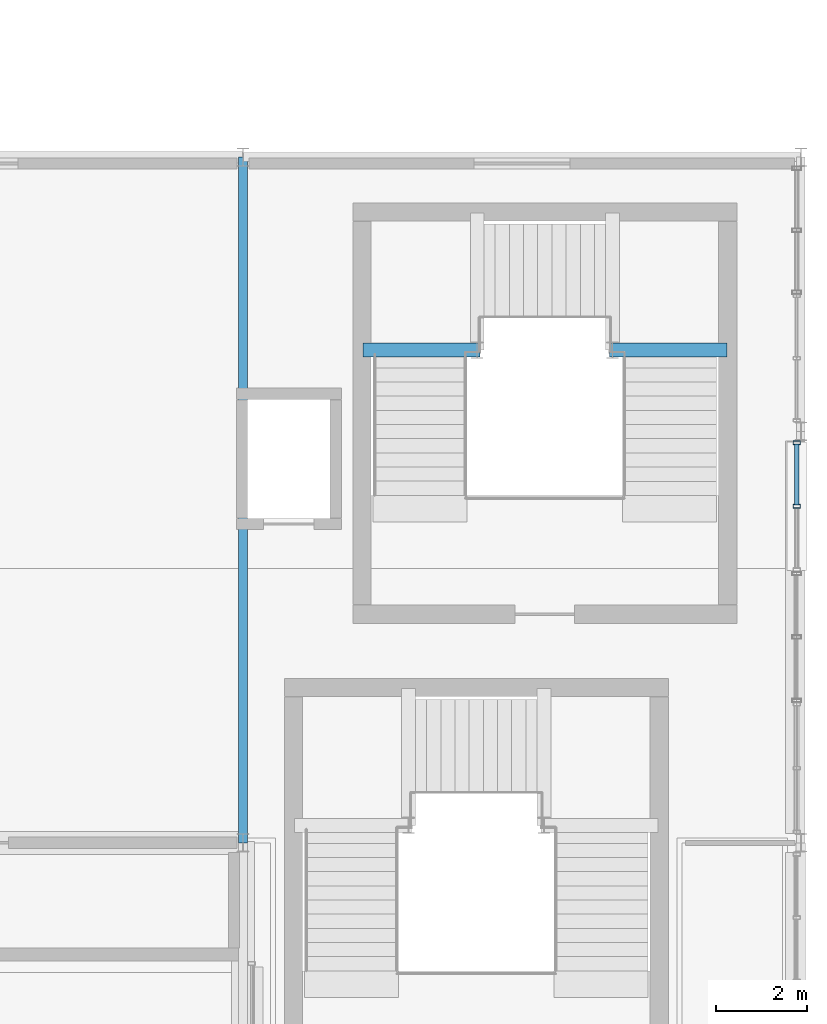
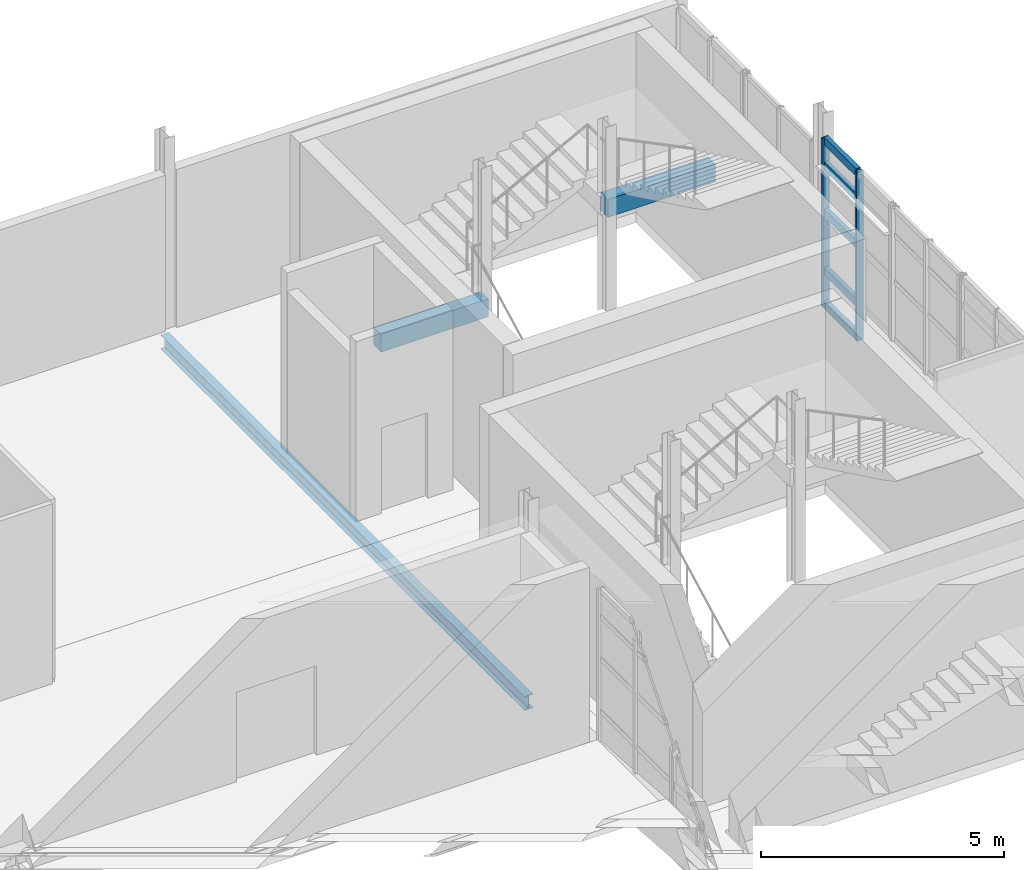
# One storey, part 56 of 100: 7 members, 3 beams, 1 element without a shape of its own.
"""IFC4 building model written with IfcOpenShell, lengths in metres."""

from ifc_helpers import new_model, si_unit, derived_unit, direction, frame, origin, origin_2d, place, context, subcontext, project, spatial, rectangle, hollow_rectangle, i_section, extrude, material, layer, layer_set, material_profile, profile_set, type_object, element, aggregate, save


model = new_model("IFC4")

# Units and contexts
model_context = context("Model", 3, precision=1e-05, world=origin(), true_north=direction((0.0, 1.0)))
body_context = subcontext(model_context, "Body", "Model", "MODEL_VIEW")
ifc_project = project(units=[si_unit("LENGTHUNIT", "METRE"), si_unit("AREAUNIT", "SQUARE_METRE"), si_unit("VOLUMEUNIT", "CUBIC_METRE"), si_unit("PLANEANGLEUNIT", "RADIAN"), si_unit("MASSUNIT", "GRAM", prefix="KILO"), derived_unit("THERMALTRANSMITTANCEUNIT", [(si_unit("POWERUNIT", "WATT"), 1), (si_unit("LENGTHUNIT", "METRE"), -2), (si_unit("THERMODYNAMICTEMPERATUREUNIT", "KELVIN"), -1)])], contexts=[model_context])

# Site, building, storey
site_placement = place(None, origin())
site = spatial("IfcSite", under=ifc_project, at=site_placement, CompositionType="ELEMENT")
building_placement = place(site_placement, origin())
building = spatial("IfcBuilding", under=site, at=building_placement, Name="Nallur Shell Playhouse", CompositionType="ELEMENT")
storey_placement = place(building_placement, frame((0.0, 0.0, 10.199951171875)))
storey = spatial("IfcBuildingStorey", under=building, at=storey_placement, Name="L03", CompositionType="ELEMENT", Elevation=10.199951171875)

# Beams
ifc_material_1 = material(Name="Concrete M35", Category="concrete")
ifc_material_profile_1 = material_profile(ifc_material_1, rectangle(XDim=0.300048828125, YDim=0.449951171875, at=origin_2d()), Name="RC 300x450")
ifc_profile_set_1 = profile_set([ifc_material_profile_1], Name="Concrete M35")
beam_type_1 = type_object("IfcBeamType", Name="BM-SPN-300x450", PredefinedType="SPANDREL", material=ifc_profile_set_1)
beam_1_placement = place(storey_placement, frame((150.219970703125, 51.780029296875, 1.22509765625), z_axis=(1.0, 0.0, 0.0), x_axis=(0.0, 1.0, 0.0)))
element("IfcBeam", 1, at=beam_1_placement, inside=storey, type_object=beam_type_1, Name="Stair ST-05-L03 L1 south bearer beam", PredefinedType="SPANDREL", context=body_context, shape_type="SweptSolid", body=[
    extrude(rectangle(XDim=0.300048828125, YDim=0.449951171875, at=origin_2d()), origin(), (0.0, 0.0, 1.0), 2.56005859375),
])
beam_2_placement = place(storey_placement, frame((155.6201171875, 51.780029296875, 2.72509765625), z_axis=(1.0, 0.0, 0.0), x_axis=(0.0, 1.0, 0.0)))
element("IfcBeam", 2, at=beam_2_placement, inside=storey, type_object=beam_type_1, Name="Stair ST-05-L03 L2 south bearer beam", PredefinedType="SPANDREL", context=body_context, shape_type="SweptSolid", body=[
    extrude(rectangle(XDim=0.300048828125, YDim=0.449951171875, at=origin_2d()), origin(), (0.0, 0.0, 1.0), 2.559814453125),
])
ifc_material_2 = material(Name="Steel E350", Category="steel")
ifc_material_profile_2 = material_profile(ifc_material_2, i_section(OverallWidth=0.199951171875, OverallDepth=0.35009765625, WebThickness=0.008056640625, FlangeThickness=0.011474609375, FilletRadius=0.011962890625, at=origin_2d()), Name="ISWB 350")
ifc_profile_set_2 = profile_set([ifc_material_profile_2], Name="Steel E350")
beam_type_2 = type_object("IfcBeamType", Name="BM-ST-ISWB350", PredefinedType="BEAM", material=ifc_profile_set_2)
beam_3_placement = place(storey_placement, frame((147.60009765625, 41.0, -0.43505859375), z_axis=(0.0, 1.0, 0.0), x_axis=(-1.0, 0.0, 0.0)))
element("IfcBeam", 3, at=beam_3_placement, inside=storey, type_object=beam_type_2, Name="L03 girder Y-18-678", PredefinedType="BEAM", context=body_context, shape_type="SweptSolid", body=[
    extrude(i_section(OverallWidth=0.199951171875, OverallDepth=0.35009765625, WebThickness=0.008056640625, FlangeThickness=0.011474609375, FilletRadius=0.011962890625, at=origin_2d()), origin(), (0.0, 0.0, 1.0), 15.0),
])

# Curtain wall, members
ifc_material_3 = material(Name="Anodised Aluminium Double-Glazed Facade System", Category="aluminium")
ifc_layer = layer(ifc_material_3, 0.176025390625)
ifc_layer_set = layer_set([ifc_layer], Name="Anodised Aluminium Double-Glazed Facade System")
curtain_wall_type = type_object("IfcCurtainWallType", Name="CW-UNIT-16", PredefinedType="NOTDEFINED", material=ifc_layer_set)
curtain_wall_placement = place(storey_placement, origin())
curtain_wall = element("IfcCurtainWall", 4, at=curtain_wall_placement, inside=storey, type_object=curtain_wall_type, Name="Unitised curtain wall CW-080 (L03)", PredefinedType="NOTDEFINED")
ifc_material_4 = material(Name="Aluminium Alloy 6063-T6 Mullion", Category="aluminium")
ifc_material_profile_3 = material_profile(ifc_material_4, hollow_rectangle(XDim=0.080078125, YDim=0.159912109375, WallThickness=0.006103515625, at=origin_2d()), Name="RHS 160x80x6")
ifc_profile_set_3 = profile_set([ifc_material_profile_3], Name="Aluminium Alloy 6063-T6 Mullion")
member_type_1 = type_object("IfcMemberType", Name="MB-CW-MUL150", PredefinedType="MULLION", material=ifc_profile_set_3)
member_1_placement = place(storey_placement, frame((159.7099609375, 49.751953125, -0.014892578125), z_axis=(0.0, 0.0, 1.0), x_axis=(0.0, -1.0, 0.0)))
member_1 = element("IfcMember", 5, at=member_1_placement, type_object=member_type_1, Name="CW-16 mullion 1", PredefinedType="MULLION", context=body_context, shape_type="SweptSolid", body=[
    extrude(hollow_rectangle(XDim=0.080078125, YDim=0.159912109375, WallThickness=0.006103515625, at=origin_2d()), origin(), (0.0, 0.0, 1.0), 4.243896484375),
])
member_2_placement = place(storey_placement, frame((159.7099609375, 48.36376953125, -0.014892578125), z_axis=(0.0, 0.0, 1.0), x_axis=(0.0, -1.0, 0.0)))
member_2 = element("IfcMember", 6, at=member_2_placement, type_object=member_type_1, Name="CW-16 mullion 2", PredefinedType="MULLION", context=body_context, shape_type="SweptSolid", body=[
    extrude(hollow_rectangle(XDim=0.080078125, YDim=0.159912109375, WallThickness=0.006103515625, at=origin_2d()), origin(), (0.0, 0.0, 1.0), 4.243896484375),
])
ifc_material_5 = material(Name="Aluminium Alloy 6063-T6 Transom", Category="aluminium")
ifc_material_profile_4 = material_profile(ifc_material_5, hollow_rectangle(XDim=0.10009765625, YDim=0.199951171875, WallThickness=0.008056640625, at=origin_2d()), Name="RHS 200x100x8")
ifc_profile_set_4 = profile_set([ifc_material_profile_4], Name="Aluminium Alloy 6063-T6 Transom")
member_type_2 = type_object("IfcMemberType", Name="MB-CW-TRN140", PredefinedType="USERDEFINED", material=ifc_profile_set_4)
member_3_placement = place(storey_placement, frame((159.7099609375, 49.719970703125, 0.050048828125), z_axis=(0.0, -1.0, 0.0), x_axis=(1.0, 0.0, 0.0)))
member_3 = element("IfcMember", 7, at=member_3_placement, type_object=member_type_2, Name="CW-16 transom 1.1", ObjectType="TRANSOM", PredefinedType="USERDEFINED", context=body_context, shape_type="SweptSolid", body=[
    extrude(hollow_rectangle(XDim=0.10009765625, YDim=0.199951171875, WallThickness=0.008056640625, at=origin_2d()), origin(), (0.0, 0.0, 1.0), 1.32421875),
])
member_4_placement = place(storey_placement, frame((159.7099609375, 49.719970703125, 0.900146484375), z_axis=(0.0, -1.0, 0.0), x_axis=(1.0, 0.0, 0.0)))
member_4 = element("IfcMember", 8, at=member_4_placement, type_object=member_type_2, Name="CW-16 transom 1.2", ObjectType="TRANSOM", PredefinedType="USERDEFINED", context=body_context, shape_type="SweptSolid", body=[
    extrude(hollow_rectangle(XDim=0.10009765625, YDim=0.199951171875, WallThickness=0.008056640625, at=origin_2d()), origin(), (0.0, 0.0, 1.0), 1.32421875),
])
member_5_placement = place(storey_placement, frame((159.7099609375, 49.719970703125, 2.365966796875), z_axis=(0.0, -1.0, 0.0), x_axis=(1.0, 0.0, 0.0)))
member_5 = element("IfcMember", 9, at=member_5_placement, type_object=member_type_2, Name="CW-16 transom 1.3", ObjectType="TRANSOM", PredefinedType="USERDEFINED", context=body_context, shape_type="SweptSolid", body=[
    extrude(hollow_rectangle(XDim=0.10009765625, YDim=0.199951171875, WallThickness=0.008056640625, at=origin_2d()), origin(), (0.0, 0.0, 1.0), 1.32421875),
])
member_6_placement = place(storey_placement, frame((159.7099609375, 49.719970703125, 3.545166015625), z_axis=(0.0, -1.0, 0.0), x_axis=(1.0, 0.0, 0.0)))
member_6 = element("IfcMember", 10, at=member_6_placement, type_object=member_type_2, Name="CW-16 transom 1.4", ObjectType="TRANSOM", PredefinedType="USERDEFINED", context=body_context, shape_type="SweptSolid", body=[
    extrude(hollow_rectangle(XDim=0.10009765625, YDim=0.199951171875, WallThickness=0.008056640625, at=origin_2d()), origin(), (0.0, 0.0, 1.0), 1.32421875),
])
member_7_placement = place(storey_placement, frame((159.7099609375, 49.719970703125, 4.175048828125), z_axis=(0.0, -1.0, 0.0), x_axis=(1.0, 0.0, 0.0)))
member_7 = element("IfcMember", 11, at=member_7_placement, type_object=member_type_2, Name="CW-16 transom 1.5", ObjectType="TRANSOM", PredefinedType="USERDEFINED", context=body_context, shape_type="SweptSolid", body=[
    extrude(hollow_rectangle(XDim=0.10009765625, YDim=0.199951171875, WallThickness=0.008056640625, at=origin_2d()), origin(), (0.0, 0.0, 1.0), 1.32421875),
])
aggregate(curtain_wall, [member_1, member_2, member_3, member_4, member_5, member_6, member_7])

save(model, "model.ifc")
